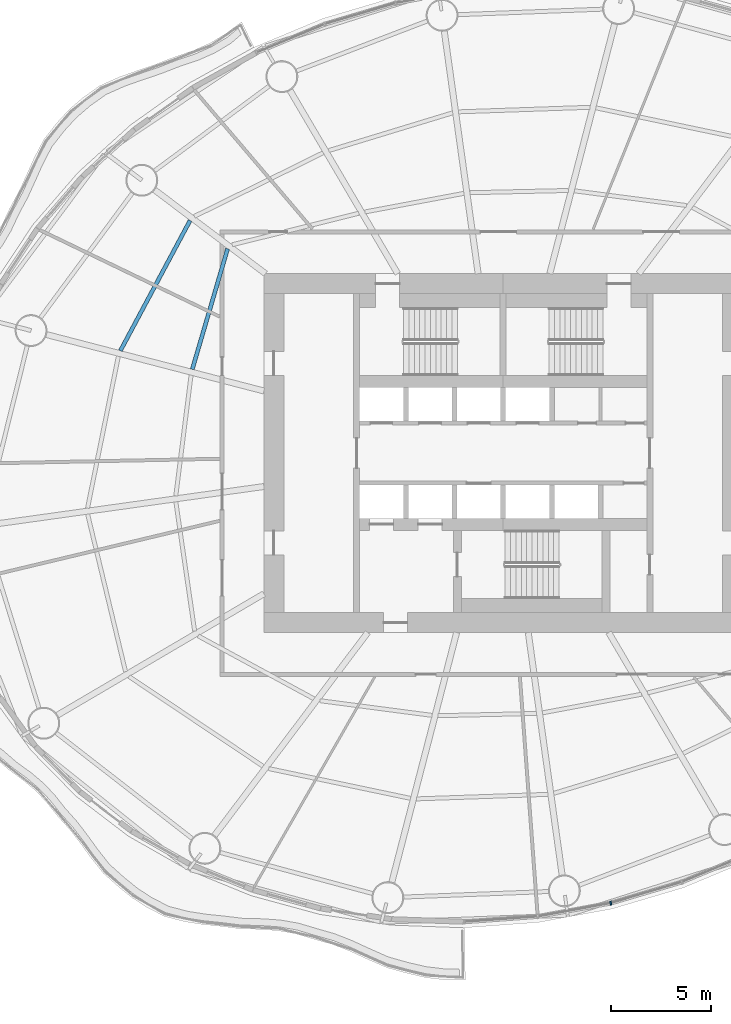
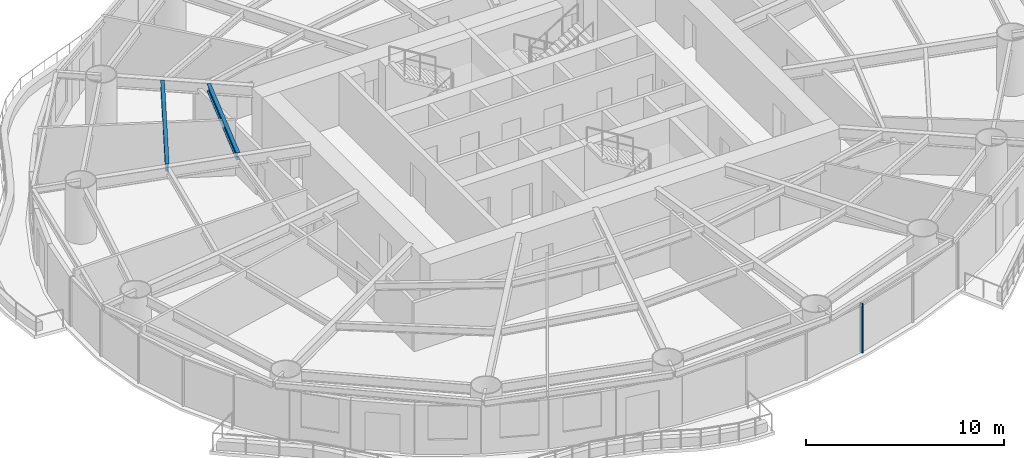
# One storey, part 3 of 16: 2 beams, 1 member, 1 element without a shape of its own.
"""IFC4 building model written with IfcOpenShell, lengths in metres."""

from ifc_helpers import new_model, si_unit, direction, frame, origin, origin_2d, place, context, subcontext, project, spatial, rectangle, i_section, extrude, material, material_profile, profile_set, type_object, element, aggregate, save


model = new_model("IFC4")

# Units and contexts
model_context = context("Model", 3, precision=1e-05, world=origin(), true_north=direction((0.0, 1.0)))
body_context = subcontext(model_context, "Body", "Model", "MODEL_VIEW")
ifc_project = project(units=[si_unit("LENGTHUNIT", "METRE"), si_unit("AREAUNIT", "SQUARE_METRE"), si_unit("VOLUMEUNIT", "CUBIC_METRE"), si_unit("PLANEANGLEUNIT", "RADIAN"), si_unit("MASSUNIT", "GRAM", prefix="KILO")], contexts=[model_context])

# Site, building, storey
site_placement = place(None, origin())
site = spatial("IfcSite", under=ifc_project, at=site_placement, CompositionType="ELEMENT")
building_placement = place(site_placement, origin())
building = spatial("IfcBuilding", under=site, at=building_placement, Name="Vermilion Reach Broadcast Tower", CompositionType="ELEMENT")
storey_placement = place(building_placement, frame((0.0, 0.0, 88.60009765625)))
storey = spatial("IfcBuildingStorey", under=building, at=storey_placement, Name="L19", CompositionType="ELEMENT", Elevation=88.60009765625)

# Beams
ifc_material_1 = material(Name="Steel S355J2", Category="steel")
ifc_material_profile_1 = material_profile(ifc_material_1, i_section(OverallWidth=0.199951171875, OverallDepth=0.449951171875, WebThickness=0.009033203125, FlangeThickness=0.013916015625, at=origin_2d()), Name="S355J2 HN 450x200x9x14")
ifc_profile_set_1 = profile_set([ifc_material_profile_1], Name="Steel S355J2")
beam_type = type_object("IfcBeamType", Name="SB2 HN 450x200x9x14", PredefinedType="BEAM", material=ifc_profile_set_1)
beam_1_placement = place(storey_placement, frame((-19.821533203125, 10.246337890625, 3.224853515625), z_axis=(-0.281175657723, -0.959656318431, 0.0), x_axis=(0.959656318431, -0.281175657723, 0.0)))
element("IfcBeam", 1, at=beam_1_placement, inside=storey, type_object=beam_type, Name="Secondary beam SB2-06-1", PredefinedType="BEAM", context=body_context, shape_type="SweptSolid", body=[
    extrude(i_section(OverallWidth=0.199951171875, OverallDepth=0.449951171875, WebThickness=0.009033203125, FlangeThickness=0.013916015625, at=origin_2d()), origin(), (0.0, 0.0, 1.0), 6.298583984375),
])
beam_2_placement = place(storey_placement, frame((-21.702880859375, 11.66650390625, 3.224853515625), z_axis=(-0.471821551693, -0.881694064491, 0.0), x_axis=(0.881694064491, -0.471821551693, 0.0)))
element("IfcBeam", 2, at=beam_2_placement, inside=storey, type_object=beam_type, Name="Secondary beam SB2-06-2", PredefinedType="BEAM", context=body_context, shape_type="SweptSolid", body=[
    extrude(i_section(OverallWidth=0.199951171875, OverallDepth=0.449951171875, WebThickness=0.009033203125, FlangeThickness=0.013916015625, at=origin_2d()), origin(), (0.0, 0.0, 1.0), 7.405029296875),
])

# Curtain wall, member
ifc_material_2 = material(Name="Low-e laminated clear glass in aluminium frame", Category="aluminium")
curtain_wall_type = type_object("IfcCurtainWallType", Name="Slot curtain wall", PredefinedType="NOTDEFINED", material=ifc_material_2)
curtain_wall_placement = place(storey_placement, origin())
curtain_wall = element("IfcCurtainWall", 3, at=curtain_wall_placement, inside=storey, type_object=curtain_wall_type, Name="Slot curtain wall L19 36", PredefinedType="NOTDEFINED")
ifc_material_3 = material(Name="Anodised aluminium", Category="aluminium")
ifc_material_profile_2 = material_profile(ifc_material_3, rectangle(XDim=0.199951171875, YDim=0.080078125, at=origin_2d()), Name="Slot mullion 80 x 200")
ifc_profile_set_2 = profile_set([ifc_material_profile_2], Name="Anodised aluminium")
member_type = type_object("IfcMemberType", Name="Slot mullion 80 x 200", PredefinedType="MULLION", material=ifc_profile_set_2)
member_placement = place(storey_placement, frame((-0.60693359375, -22.568359375, 0.0), z_axis=(0.0, 0.0, 1.0), x_axis=(-0.232426875034, 0.97261387393, 0.0)))
member = element("IfcMember", 4, at=member_placement, type_object=member_type, Name="Slot mullion L19 36", PredefinedType="MULLION", context=body_context, shape_type="SweptSolid", body=[
    extrude(rectangle(XDim=0.199951171875, YDim=0.080078125, at=origin_2d()), origin(), (0.0, 0.0, 1.0), 3.0498046875),
])
aggregate(curtain_wall, [member])

save(model, "model.ifc")
